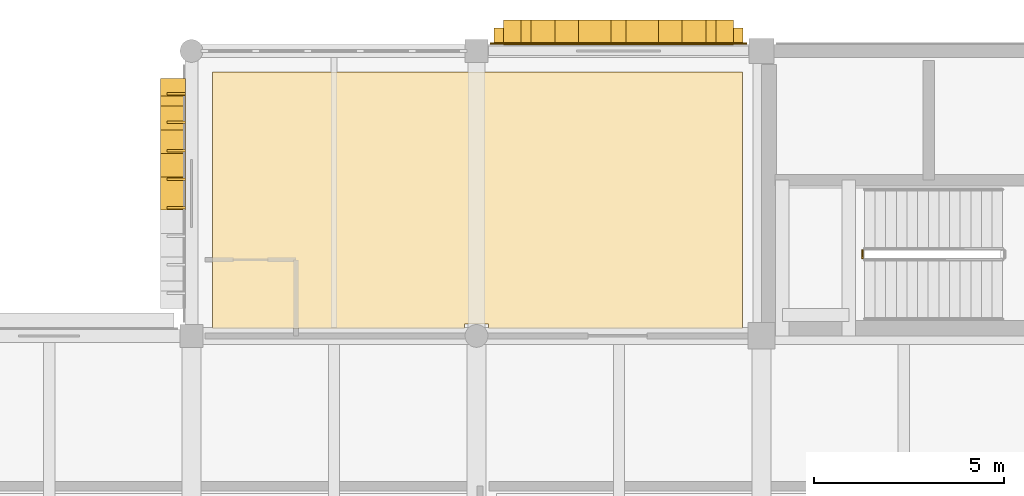
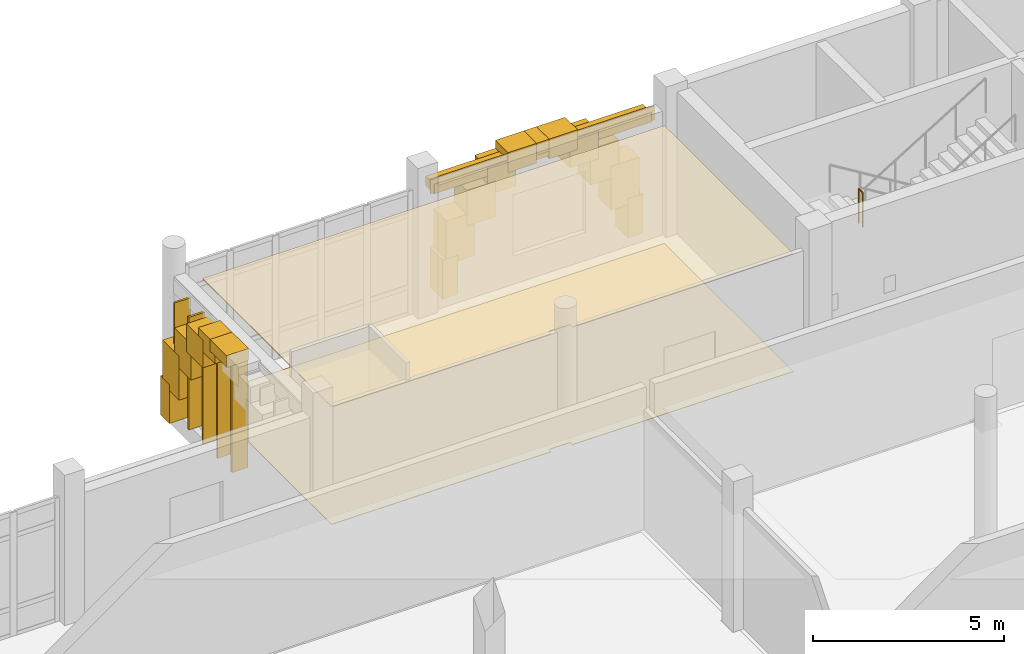
# One storey, part 121 of 131: 20 coverings, 6 shading devices, 1 railing.
"""IFC4 building model written with IfcOpenShell, lengths in metres."""

from ifc_helpers import new_model, si_unit, direction, frame, origin, origin_2d, place, context, subcontext, project, spatial, polyline, rectangle, circle, outline, extrude, material, layer, layer_set, type_object, element, save


model = new_model("IFC4")

# Units and contexts
model_context = context("Model", 3, precision=1e-05, world=origin(), true_north=direction((0.0, 1.0)))
body_context = subcontext(model_context, "Body", "Model", "MODEL_VIEW")
ifc_project = project(units=[si_unit("LENGTHUNIT", "METRE"), si_unit("AREAUNIT", "SQUARE_METRE"), si_unit("VOLUMEUNIT", "CUBIC_METRE"), si_unit("PLANEANGLEUNIT", "RADIAN"), si_unit("MASSUNIT", "GRAM", prefix="KILO")], contexts=[model_context])

# Site, building, storey
site_placement = place(None, origin())
site = spatial("IfcSite", under=ifc_project, at=site_placement, CompositionType="ELEMENT")
building_placement = place(site_placement, origin())
building = spatial("IfcBuilding", under=site, at=building_placement, Name="Dalvernix Boulevard General Hospital", CompositionType="ELEMENT")
storey_placement = place(building_placement, frame((0.0, 0.0, 9.300048828125)))
storey = spatial("IfcBuildingStorey", under=building, at=storey_placement, Name="L02", CompositionType="ELEMENT", Elevation=9.300048828125)

# Coverings
ifc_material_1 = material(Name="Pressed Catalan clay brick and dressed limestone parabolic archivolt", Category="masonry")
ifc_layer_1 = layer(ifc_material_1, 0.419921875)
ifc_layer_set_1 = layer_set([ifc_layer_1], Name="Pressed Catalan clay brick and dressed limestone parabolic archivolt (COV-ARC-01)")
covering_type_1 = type_object("IfcCoveringType", Name="COV-ARC-01", PredefinedType="CLADDING", material=ifc_layer_set_1)
covering_1_placement = place(storey_placement, frame((44.514892578125, 116.050048828125, 0.0), z_axis=(0.0, 0.0, 1.0), x_axis=(0.0, 1.0, 0.0)))
element("IfcCovering", 1, at=covering_1_placement, inside=storey, type_object=covering_type_1, Name="L02 Catalan parabolic arch impost pier W 6-14-R", PredefinedType="CLADDING", context=body_context, shape_type="SweptSolid", body=[
    extrude(rectangle(XDim=0.4599609375, YDim=0.659912109375, at=origin_2d()), origin(), (0.0, 0.0, 1.0), 1.25),
])
covering_2_placement = place(storey_placement, frame((44.514892578125, 113.25, 3.608154296875), z_axis=(0.0, 0.0, 1.0), x_axis=(0.0, 1.0, 0.0)))
element("IfcCovering", 2, at=covering_2_placement, inside=storey, type_object=covering_type_1, Name="L02 Catalan parabolic archivolt voussoir W 6-14-5", PredefinedType="CLADDING", context=body_context, shape_type="SweptSolid", body=[
    extrude(rectangle(XDim=0.8623046875, YDim=0.659912109375, at=origin_2d()), origin(), (0.0, 0.0, 1.0), 0.3798828125),
])
covering_3_placement = place(storey_placement, frame((44.514892578125, 113.872314453125, 3.353271484375), z_axis=(0.0, 0.0, 1.0), x_axis=(0.0, 1.0, 0.0)))
element("IfcCovering", 3, at=covering_3_placement, inside=storey, type_object=covering_type_1, Name="L02 Catalan parabolic archivolt voussoir W 6-14-6", PredefinedType="CLADDING", context=body_context, shape_type="SweptSolid", body=[
    extrude(rectangle(XDim=0.8623046875, YDim=0.659912109375, at=origin_2d()), origin(), (0.0, 0.0, 1.0), 0.634765625),
])
covering_4_placement = place(storey_placement, frame((44.514892578125, 114.494384765625, 2.843505859375), z_axis=(0.0, 0.0, 1.0), x_axis=(0.0, 1.0, 0.0)))
element("IfcCovering", 4, at=covering_4_placement, inside=storey, type_object=covering_type_1, Name="L02 Catalan parabolic archivolt voussoir W 6-14-7", PredefinedType="CLADDING", context=body_context, shape_type="SweptSolid", body=[
    extrude(rectangle(XDim=0.8623046875, YDim=0.659912109375, at=origin_2d()), origin(), (0.0, 0.0, 1.0), 0.8896484375),
])
covering_5_placement = place(storey_placement, frame((44.514892578125, 115.11669921875, 2.0791015625), z_axis=(0.0, 0.0, 1.0), x_axis=(0.0, 1.0, 0.0)))
element("IfcCovering", 5, at=covering_5_placement, inside=storey, type_object=covering_type_1, Name="L02 Catalan parabolic archivolt voussoir W 6-14-8", PredefinedType="CLADDING", context=body_context, shape_type="SweptSolid", body=[
    extrude(rectangle(XDim=0.8623046875, YDim=0.659912109375, at=origin_2d()), origin(), (0.0, 0.0, 1.0), 1.144287109375),
])
covering_6_placement = place(storey_placement, frame((44.514892578125, 115.739013671875, 1.059814453125), z_axis=(0.0, 0.0, 1.0), x_axis=(0.0, 1.0, 0.0)))
element("IfcCovering", 6, at=covering_6_placement, inside=storey, type_object=covering_type_1, Name="L02 Catalan parabolic archivolt voussoir W 6-14-9", PredefinedType="CLADDING", context=body_context, shape_type="SweptSolid", body=[
    extrude(rectangle(XDim=0.8623046875, YDim=0.659912109375, at=origin_2d()), origin(), (0.0, 0.0, 1.0), 1.3994140625),
])
for number, where, z_axis, x_axis, name in (
    (7, (53.4375, 117.485107421875, 0.0), (0.0, 0.0, 1.0), (1.0, 0.0, 0.0), "L02 Catalan parabolic arch impost pier N 7-15-L"),
    (8, (59.03759765625, 117.485107421875, 0.0), (0.0, 0.0, 1.0), (1.0, 0.0, 0.0), "L02 Catalan parabolic arch impost pier N 7-15-R"),
):
    element("IfcCovering", number, at=place(storey_placement, frame(where, z_axis=z_axis, x_axis=x_axis)), inside=storey, type_object=covering_type_1, Name=name, PredefinedType="CLADDING", context=body_context, shape_type="SweptSolid", body=[
        extrude(rectangle(XDim=0.4599609375, YDim=0.659912109375, at=origin_2d()), origin(), (0.0, 0.0, 1.0), 1.25),
    ])
covering_7_placement = place(storey_placement, frame((53.74853515625, 117.485107421875, 1.059814453125), z_axis=(0.0, 0.0, 1.0), x_axis=(1.0, 0.0, 0.0)))
element("IfcCovering", 9, at=covering_7_placement, inside=storey, type_object=covering_type_1, Name="L02 Catalan parabolic archivolt voussoir N 7-15-1", PredefinedType="CLADDING", context=body_context, shape_type="SweptSolid", body=[
    extrude(rectangle(XDim=0.8623046875, YDim=0.659912109375, at=origin_2d()), origin(), (0.0, 0.0, 1.0), 1.3994140625),
])
covering_8_placement = place(storey_placement, frame((54.370849609375, 117.485107421875, 2.0791015625), z_axis=(0.0, 0.0, 1.0), x_axis=(1.0, 0.0, 0.0)))
element("IfcCovering", 10, at=covering_8_placement, inside=storey, type_object=covering_type_1, Name="L02 Catalan parabolic archivolt voussoir N 7-15-2", PredefinedType="CLADDING", context=body_context, shape_type="SweptSolid", body=[
    extrude(rectangle(XDim=0.8623046875, YDim=0.659912109375, at=origin_2d()), origin(), (0.0, 0.0, 1.0), 1.144287109375),
])
covering_9_placement = place(storey_placement, frame((54.9931640625, 117.485107421875, 2.843505859375), z_axis=(0.0, 0.0, 1.0), x_axis=(1.0, 0.0, 0.0)))
element("IfcCovering", 11, at=covering_9_placement, inside=storey, type_object=covering_type_1, Name="L02 Catalan parabolic archivolt voussoir N 7-15-3", PredefinedType="CLADDING", context=body_context, shape_type="SweptSolid", body=[
    extrude(rectangle(XDim=0.8623046875, YDim=0.659912109375, at=origin_2d()), origin(), (0.0, 0.0, 1.0), 0.8896484375),
])
covering_10_placement = place(storey_placement, frame((55.615234375, 117.485107421875, 3.353271484375), z_axis=(0.0, 0.0, 1.0), x_axis=(1.0, 0.0, 0.0)))
element("IfcCovering", 12, at=covering_10_placement, inside=storey, type_object=covering_type_1, Name="L02 Catalan parabolic archivolt voussoir N 7-15-4", PredefinedType="CLADDING", context=body_context, shape_type="SweptSolid", body=[
    extrude(rectangle(XDim=0.8623046875, YDim=0.659912109375, at=origin_2d()), origin(), (0.0, 0.0, 1.0), 0.634765625),
])
covering_11_placement = place(storey_placement, frame((56.237548828125, 117.485107421875, 3.608154296875), z_axis=(0.0, 0.0, 1.0), x_axis=(1.0, 0.0, 0.0)))
element("IfcCovering", 13, at=covering_11_placement, inside=storey, type_object=covering_type_1, Name="L02 Catalan parabolic archivolt voussoir N 7-15-5", PredefinedType="CLADDING", context=body_context, shape_type="SweptSolid", body=[
    extrude(rectangle(XDim=0.8623046875, YDim=0.659912109375, at=origin_2d()), origin(), (0.0, 0.0, 1.0), 0.3798828125),
])
covering_12_placement = place(storey_placement, frame((56.859619140625, 117.485107421875, 3.353271484375), z_axis=(0.0, 0.0, 1.0), x_axis=(1.0, 0.0, 0.0)))
element("IfcCovering", 14, at=covering_12_placement, inside=storey, type_object=covering_type_1, Name="L02 Catalan parabolic archivolt voussoir N 7-15-6", PredefinedType="CLADDING", context=body_context, shape_type="SweptSolid", body=[
    extrude(rectangle(XDim=0.8623046875, YDim=0.659912109375, at=origin_2d()), origin(), (0.0, 0.0, 1.0), 0.634765625),
])
covering_13_placement = place(storey_placement, frame((57.48193359375, 117.485107421875, 2.843505859375), z_axis=(0.0, 0.0, 1.0), x_axis=(1.0, 0.0, 0.0)))
element("IfcCovering", 15, at=covering_13_placement, inside=storey, type_object=covering_type_1, Name="L02 Catalan parabolic archivolt voussoir N 7-15-7", PredefinedType="CLADDING", context=body_context, shape_type="SweptSolid", body=[
    extrude(rectangle(XDim=0.8623046875, YDim=0.659912109375, at=origin_2d()), origin(), (0.0, 0.0, 1.0), 0.8896484375),
])
covering_14_placement = place(storey_placement, frame((58.104248046875, 117.485107421875, 2.0791015625), z_axis=(0.0, 0.0, 1.0), x_axis=(1.0, 0.0, 0.0)))
element("IfcCovering", 16, at=covering_14_placement, inside=storey, type_object=covering_type_1, Name="L02 Catalan parabolic archivolt voussoir N 7-15-8", PredefinedType="CLADDING", context=body_context, shape_type="SweptSolid", body=[
    extrude(rectangle(XDim=0.8623046875, YDim=0.659912109375, at=origin_2d()), origin(), (0.0, 0.0, 1.0), 1.144287109375),
])
covering_15_placement = place(storey_placement, frame((58.726318359375, 117.485107421875, 1.059814453125), z_axis=(0.0, 0.0, 1.0), x_axis=(1.0, 0.0, 0.0)))
element("IfcCovering", 17, at=covering_15_placement, inside=storey, type_object=covering_type_1, Name="L02 Catalan parabolic archivolt voussoir N 7-15-9", PredefinedType="CLADDING", context=body_context, shape_type="SweptSolid", body=[
    extrude(rectangle(XDim=0.8623046875, YDim=0.659912109375, at=origin_2d()), origin(), (0.0, 0.0, 1.0), 1.3994140625),
])
ifc_material_2 = material(Name="Antimicrobial acoustic mineral-fibre suspended ceiling")
ifc_layer_2 = layer(ifc_material_2, 0.02490234375)
ifc_layer_set_2 = layer_set([ifc_layer_2], Name="Antimicrobial acoustic mineral-fibre suspended ceiling (COV-CEIL-01)")
covering_type_2 = type_object("IfcCoveringType", Name="COV-CEIL-01", PredefinedType="CEILING", material=ifc_layer_set_2)
covering_16_placement = place(storey_placement, frame((0.0, 0.0, 3.7548828125)))
element("IfcCovering", 18, at=covering_16_placement, inside=storey, type_object=covering_type_2, Name="L02 Surgical Intensive Care Unit (ICU) West hygienic suspended ceiling", PredefinedType="CEILING", context=body_context, shape_type="SweptSolid", body=[
    extrude(outline(polyline([(52.820068359375, 109.699951171875), (52.820068359375, 109.820068359375), (52.179931640625, 109.820068359375), (52.179931640625, 109.699951171875), (45.550048828125, 109.699951171875), (45.550048828125, 116.449951171875), (59.5, 116.449951171875), (59.5, 109.699951171875), (52.820068359375, 109.699951171875)])), origin(), (0.0, 0.0, 1.0), 0.025146484375),
])
ifc_material_3 = material(Name="Polychrome Catalan glazed ceramic spandrel tile panel")
ifc_layer_3 = layer(ifc_material_3, 0.044921875)
ifc_layer_set_3 = layer_set([ifc_layer_3], Name="Polychrome Catalan glazed ceramic spandrel tile panel (COV-CLD-01)")
covering_type_3 = type_object("IfcCoveringType", Name="COV-CLD-01", PredefinedType="CLADDING", material=ifc_layer_set_3)
covering_17_placement = place(storey_placement, frame((56.237548828125, 117.195068359375, 3.47509765625), z_axis=(0.0, 0.0, 1.0), x_axis=(1.0, 0.0, 0.0)))
element("IfcCovering", 19, at=covering_17_placement, inside=storey, type_object=covering_type_3, Name="L02 polychrome ceramic spandrel N 7-15", PredefinedType="CLADDING", context=body_context, shape_type="SweptSolid", body=[
    extrude(rectangle(XDim=6.7548828125, YDim=0.044921875, at=origin_2d()), origin(), (0.0, 0.0, 1.0), 0.449951171875),
])
ifc_material_4 = material(Name="Seamless welded medical vinyl and polished terrazzo flooring")
ifc_layer_4 = layer(ifc_material_4, 0.014892578125)
ifc_layer_set_4 = layer_set([ifc_layer_4], Name="Seamless welded medical vinyl and polished terrazzo flooring (COV-FLR-01)")
covering_type_4 = type_object("IfcCoveringType", Name="COV-FLR-01", PredefinedType="FLOORING", material=ifc_layer_set_4)
covering_18_placement = place(storey_placement, origin())
element("IfcCovering", 20, at=covering_18_placement, inside=storey, type_object=covering_type_4, Name="L02 Surgical Intensive Care Unit (ICU) West seamless clinical flooring", PredefinedType="FLOORING", context=body_context, shape_type="SweptSolid", body=[
    extrude(outline(polyline([(52.820068359375, 109.699951171875), (52.820068359375, 109.820068359375), (52.179931640625, 109.820068359375), (52.179931640625, 109.699951171875), (45.550048828125, 109.699951171875), (45.550048828125, 116.449951171875), (59.5, 116.449951171875), (59.5, 109.699951171875), (52.820068359375, 109.699951171875)])), origin(), (0.0, 0.0, 1.0), 0.014892578125),
])

# Railing
ifc_material_5 = material(Name="Brushed stainless steel balustrade", Category="steel")
railing_type = type_object("IfcRailingType", Name="RL-GR-INT1", PredefinedType="BALUSTRADE", material=ifc_material_5)
railing_placement = place(storey_placement, frame((62.659912109375, 111.75, 2.39990234375)))
element("IfcRailing", 21, at=railing_placement, inside=storey, type_object=railing_type, Name="L02 ST-03 stair guard 2", PredefinedType="BALUSTRADE", context=body_context, shape_type="SweptSolid", body=[
    extrude(circle(Radius=0.02392578125, at=origin_2d()), frame((0.0, 0.0, 1.09619140625), z_axis=(0.0, -1.0, 0.0), x_axis=(1.0, 0.0, 0.0)), (0.0, 0.0, 1.0), 0.199951171875),
    extrude(circle(Radius=0.02099609375, at=origin_2d()), origin(), (0.0, 0.0, 1.0), 1.072021484375),
    extrude(circle(Radius=0.02099609375, at=origin_2d()), frame((0.0, -0.199951171875, 0.0)), (0.0, 0.0, 1.0), 1.072021484375),
])

# Shading devices
ifc_material_6 = material(Name="Preservative-treated West African iroko timber", Category="wood")
shading_device_type_1 = type_object("IfcShadingDeviceType", Name="SHD-FIN-01", PredefinedType="USERDEFINED", material=ifc_material_6)
for number, where, z_axis, x_axis, name in (
    (22, (44.594970703125, 112.875, 0.1748046875), (0.0, 0.0, 1.0), (0.0, 1.0, 0.0), "L02 iroko brise-soleil fin 4"),
    (23, (44.594970703125, 113.625, 0.1748046875), (0.0, 0.0, 1.0), (0.0, 1.0, 0.0), "L02 iroko brise-soleil fin 5"),
    (24, (44.594970703125, 114.375, 0.1748046875), (0.0, 0.0, 1.0), (0.0, 1.0, 0.0), "L02 iroko brise-soleil fin 6"),
    (25, (44.594970703125, 115.125, 0.1748046875), (0.0, 0.0, 1.0), (0.0, 1.0, 0.0), "L02 iroko brise-soleil fin 7"),
    (26, (44.594970703125, 115.875, 0.1748046875), (0.0, 0.0, 1.0), (0.0, 1.0, 0.0), "L02 iroko brise-soleil fin 8"),
):
    element("IfcShadingDevice", number, at=place(storey_placement, frame(where, z_axis=z_axis, x_axis=x_axis)), inside=storey, type_object=shading_device_type_1, Name=name, ObjectType="FIN", PredefinedType="USERDEFINED", context=body_context, shape_type="SweptSolid", body=[
        extrude(rectangle(XDim=0.06494140625, YDim=0.47998046875, at=origin_2d()), origin(), (0.0, 0.0, 1.0), 3.60009765625),
    ])
ifc_material_7 = material(Name="Extruded aluminium solar jalousie louvre bank", Category="aluminium")
shading_device_type_2 = type_object("IfcShadingDeviceType", Name="SHD-JAL-01", PredefinedType="JALOUSIE", material=ifc_material_7)
shading_device_placement = place(storey_placement, frame((56.237548828125, 117.385009765625, 3.44970703125), z_axis=(0.0, 0.0, 1.0), x_axis=(1.0, 0.0, 0.0)))
element("IfcShadingDevice", 27, at=shading_device_placement, inside=storey, type_object=shading_device_type_2, Name="L02 solar jalousie louvre N 7-15", PredefinedType="JALOUSIE", context=body_context, shape_type="SweptSolid", body=[
    extrude(rectangle(XDim=6.554931640625, YDim=0.449951171875, at=origin_2d()), origin(), (0.0, 0.0, 1.0), 0.300048828125),
])

save(model, "model.ifc")
